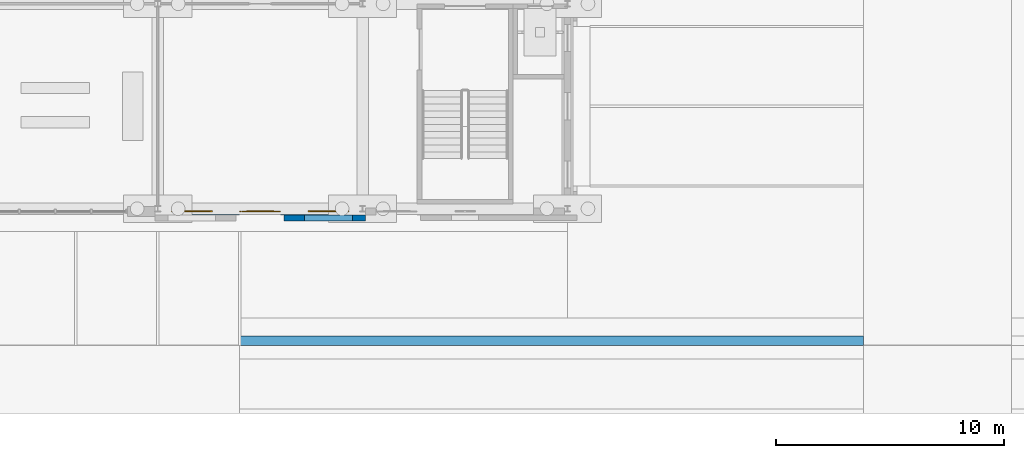
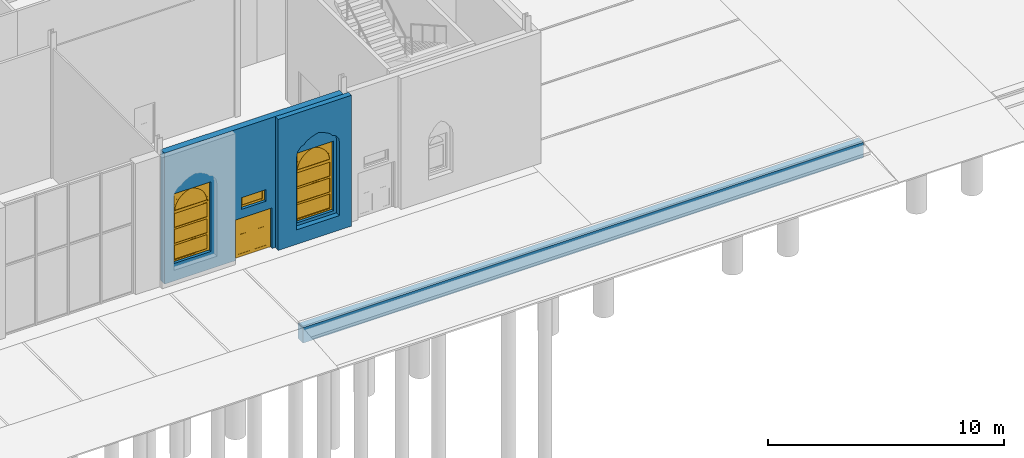
# One storey, part 114 of 250: 3 walls, 3 windows, 1 door, 4 openings.
"""IFC4 building model written with IfcOpenShell, lengths in metres."""

from ifc_helpers import new_model, si_unit, direction, frame, frame_2d, origin, place, context, subcontext, project, spatial, polyline, rectangle, outline, extrude, material, layer, layer_set, type_object, element, fill, save


model = new_model("IFC4")

# Units and contexts
model_context = context("Model", 3, precision=1e-05, world=origin(), true_north=direction((0.0, 1.0)))
body_context = subcontext(model_context, "Body", "Model", "MODEL_VIEW")
ifc_project = project(units=[si_unit("LENGTHUNIT", "METRE"), si_unit("AREAUNIT", "SQUARE_METRE"), si_unit("VOLUMEUNIT", "CUBIC_METRE"), si_unit("PLANEANGLEUNIT", "RADIAN"), si_unit("MASSUNIT", "GRAM", prefix="KILO")], contexts=[model_context])

# Site, building, storey
site_placement = place(None, origin())
site = spatial("IfcSite", under=ifc_project, at=site_placement, CompositionType="ELEMENT")
building_placement = place(site_placement, origin())
building = spatial("IfcBuilding", under=site, at=building_placement, Name="Baradari Gate Terminus", CompositionType="ELEMENT")
storey_placement = place(building_placement, origin())
storey = spatial("IfcBuildingStorey", under=building, at=storey_placement, Name="L00", CompositionType="ELEMENT", Elevation=0.0)

# Walls
ifc_material_1 = material(Name="Laterite masonry", Category="masonry")
ifc_layer_1 = layer(ifc_material_1, 0.25)
ifc_layer_set_1 = layer_set([ifc_layer_1], Name="Laterite masonry")
wall_type_1 = type_object("IfcWallType", Name="Laterite masonry wall WP-1 250", PredefinedType="SOLIDWALL", material=ifc_layer_set_1)
wall_1_placement = place(storey_placement, frame((140.550048828125, 8.594970703125, 0.0), z_axis=(0.0, 0.0, 1.0), x_axis=(1.0, 0.0, 0.0)))
element("IfcWall", 1, at=wall_1_placement, inside=storey, type_object=wall_type_1, Name="Front course SS 3b 1", PredefinedType="SOLIDWALL", context=body_context, shape_type="SweptSolid", body=[
    extrude(outline(polyline([(0.0, 0.0), (3.577392578125, 0.0), (3.577392578125, 6.767333984375), (0.0, 6.767333984375), (0.0, 0.0)]), holes=[polyline([(0.89990234375, 0.75), (0.89990234375, 4.5), (0.94189453125, 4.751953125), (1.110107421875, 4.968017578125), (1.257080078125, 5.02197265625), (1.383056640625, 5.166015625), (1.656005859375, 5.31005859375), (1.949951171875, 5.39990234375), (2.243896484375, 5.31005859375), (2.51708984375, 5.166015625), (2.64306640625, 5.02197265625), (2.7900390625, 4.968017578125), (2.9580078125, 4.751953125), (3.0, 4.5), (3.0, 0.75), (0.89990234375, 0.75)])]), frame((0.0, 0.125, 0.0), z_axis=(0.0, -1.0, 0.0), x_axis=(1.0, 0.0, 0.0)), (0.0, 0.0, 1.0), 0.25),
])
ifc_material_2 = material(Name="Sandstone masonry", Category="masonry")
ifc_layer_2 = layer(ifc_material_2, 0.39990234375)
ifc_layer_set_2 = layer_set([ifc_layer_2], Name="Sandstone masonry")
wall_type_2 = type_object("IfcWallType", Name="Plinth retaining wall KW-1 400", PredefinedType="SOLIDWALL", material=ifc_layer_set_2)
wall_2_placement = place(storey_placement, frame((138.60009765625, 3.199951171875, -0.800048828125), z_axis=(0.0, 0.0, 1.0), x_axis=(1.0, 0.0, 0.0)))
element("IfcWall", 2, at=wall_2_placement, inside=storey, type_object=wall_type_2, Name="Plinth retaining wall S3", PredefinedType="SOLIDWALL", context=body_context, shape_type="SweptSolid", body=[
    extrude(rectangle(XDim=27.39990234375, YDim=0.39990234375, at=frame_2d((13.699951171875, 0.0))), origin(), (0.0, 0.0, 1.0), 0.800048828125),
])

# Wall, openings, windows, door
ifc_material_3 = material(Name="Sandstone masonry", Category="masonry")
ifc_layer_3 = layer(ifc_material_3, 0.320068359375)
ifc_layer_set_3 = layer_set([ifc_layer_3], Name="Sandstone masonry")
wall_type_3 = type_object("IfcWallType", Name="Sandstone masonry wall WS-3 320", PredefinedType="SOLIDWALL", material=ifc_layer_set_3)
wall_3_placement = place(storey_placement, frame((135.127197265625, 8.880126953125, 0.0), z_axis=(0.0, 0.0, 1.0), x_axis=(1.0, 0.0, 0.0)))
wall_3 = element("IfcWall", 3, at=wall_3_placement, inside=storey, type_object=wall_type_3, Name="south front SS bay 16 L00", PredefinedType="SOLIDWALL", context=body_context, shape_type="SweptSolid", body=[
    extrude(rectangle(XDim=8.74560546875, YDim=0.320068359375, at=frame_2d((4.372802734375, 0.0))), origin(), (0.0, 0.0, 1.0), 6.767333984375),
])
opening_1_placement = place(wall_3_placement, frame((3.47265625, 0.0, 0.0)))
opening_1 = element("IfcOpeningElement", 4, at=opening_1_placement, cuts=wall_3, Name="Opening D00-051", PredefinedType="OPENING", context=body_context, shape_type="SweptSolid", body=[
    extrude(rectangle(XDim=1.800048828125, YDim=2.10009765625, at=frame_2d((0.89990234375, 1.050048828125))), frame((0.0, 0.169921875, 0.0), z_axis=(0.0, -1.0, 0.0), x_axis=(1.0, 0.0, 0.0)), (0.0, 0.0, 1.0), 0.340087890625),
])
opening_2_placement = place(wall_3_placement, frame((3.772705078125, 0.0, 2.550048828125)))
opening_2 = element("IfcOpeningElement", 5, at=opening_2_placement, cuts=wall_3, Name="Opening W10", PredefinedType="OPENING", context=body_context, shape_type="SweptSolid", body=[
    extrude(rectangle(XDim=1.199951171875, YDim=0.60009765625, at=frame_2d((0.60009765625, 0.300048828125))), frame((0.0, 0.169921875, 0.0), z_axis=(0.0, -1.0, 0.0), x_axis=(1.0, 0.0, 0.0)), (0.0, 0.0, 1.0), 0.340087890625),
])
opening_3_placement = place(wall_3_placement, frame((0.47265625, 0.0, 0.89990234375)))
opening_3 = element("IfcOpeningElement", 6, at=opening_3_placement, cuts=wall_3, Name="Opening W3", PredefinedType="OPENING", context=body_context, shape_type="SweptSolid", body=[
    extrude(rectangle(XDim=1.800048828125, YDim=3.60009765625, at=frame_2d((0.89990234375, 1.800048828125))), frame((0.0, 0.169921875, 0.0), z_axis=(0.0, -1.0, 0.0), x_axis=(1.0, 0.0, 0.0)), (0.0, 0.0, 1.0), 0.340087890625),
])
opening_4_placement = place(wall_3_placement, frame((6.47265625, 0.0, 0.89990234375)))
opening_4 = element("IfcOpeningElement", 7, at=opening_4_placement, cuts=wall_3, Name="Opening W3", PredefinedType="OPENING", context=body_context, shape_type="SweptSolid", body=[
    extrude(rectangle(XDim=1.800048828125, YDim=3.60009765625, at=frame_2d((0.89990234375, 1.800048828125))), frame((0.0, 0.169921875, 0.0), z_axis=(0.0, -1.0, 0.0), x_axis=(1.0, 0.0, 0.0)), (0.0, 0.0, 1.0), 0.340087890625),
])
ifc_material_4 = material(Name="Aluminium 6063-T6", Category="aluminium")
window_type_1 = type_object("IfcWindowType", Name="Door fanlight W10 1200x600", PartitioningType="SINGLE_PANEL", PredefinedType="WINDOW", material=ifc_material_4)
window_1_placement = place(opening_2_placement, origin())
window_1 = element("IfcWindow", 8, at=window_1_placement, inside=storey, type_object=window_type_1, Name="Fanlight over Parcel Counter", OverallHeight=0.6, OverallWidth=1.2, PartitioningType="SINGLE_PANEL", PredefinedType="WINDOW", context=body_context, shape_type="SweptSolid", body=[
    extrude(outline(polyline([(0.0, 0.0), (1.199951171875, 0.0), (1.199951171875, 0.60009765625), (0.0, 0.60009765625), (0.0, 0.0)]), holes=[polyline([(0.070068359375, 0.070068359375), (1.1298828125, 0.070068359375), (1.1298828125, 0.530029296875), (0.070068359375, 0.530029296875), (0.070068359375, 0.070068359375)])]), frame((0.0, 0.030029296875, 0.0), z_axis=(0.0, -1.0, 0.0), x_axis=(1.0, 0.0, 0.0)), (0.0, 0.0, 1.0), 0.06005859375),
    extrude(outline(polyline([(0.070068359375, 0.070068359375), (1.1298828125, 0.070068359375), (1.1298828125, 0.530029296875), (0.070068359375, 0.530029296875), (0.070068359375, 0.070068359375)]), holes=[polyline([(0.10009765625, 0.10009765625), (1.099853515625, 0.10009765625), (1.099853515625, 0.5), (0.10009765625, 0.5), (0.10009765625, 0.10009765625)])]), frame((0.0, 0.0224609375, 0.0), z_axis=(0.0, -1.0, 0.0), x_axis=(1.0, 0.0, 0.0)), (0.0, 0.0, 1.0), 0.044921875),
    extrude(rectangle(XDim=0.999755859375, YDim=0.39990234375, at=frame_2d((0.60009765625, 0.300048828125))), frame((0.0, 0.006103515625, 0.0), z_axis=(0.0, -1.0, 0.0), x_axis=(1.0, 0.0, 0.0)), (0.0, 0.0, 1.0), 0.01220703125),
])
fill(opening_2, window_1)
ifc_material_5 = material(Name="Steel S235", Category="steel")
door_type = type_object("IfcDoorType", Name="Store door pair, steel DT-5 1800x2100", OperationType="DOUBLE_DOOR_SINGLE_SWING", PredefinedType="DOOR", material=ifc_material_5)
door_placement = place(opening_1_placement, frame((1.800048828125, 0.0, 0.0), z_axis=(0.0, 0.0, 1.0), x_axis=(-1.0, 0.0, 0.0)))
door = element("IfcDoor", 9, at=door_placement, inside=storey, type_object=door_type, Name="Exit door Parcel Counter", OperationType="DOUBLE_DOOR_SINGLE_SWING", OverallHeight=2.1, OverallWidth=1.8, PredefinedType="DOOR", context=body_context, shape_type="SweptSolid", body=[
    extrude(outline(polyline([(0.0, 0.0), (0.070068359375, 0.0), (0.070068359375, 2.030029296875), (1.72998046875, 2.030029296875), (1.72998046875, 0.0), (1.800048828125, 0.0), (1.800048828125, 2.10009765625), (0.0, 2.10009765625), (0.0, 0.0)])), frame((0.0, 0.02490234375, 0.0), z_axis=(0.0, -1.0, 0.0), x_axis=(1.0, 0.0, 0.0)), (0.0, 0.0, 1.0), 0.050048828125),
    extrude(outline(polyline([(0.073974609375, 0.010009765625), (0.89697265625, 0.010009765625), (0.89697265625, 2.026123046875), (0.073974609375, 2.026123046875), (0.073974609375, 0.010009765625)]), holes=[polyline([(0.194091796875, 0.159912109375), (0.77685546875, 0.159912109375), (0.77685546875, 1.010009765625), (0.194091796875, 1.010009765625), (0.194091796875, 0.159912109375)]), polyline([(0.33544921875, 1.159912109375), (0.635498046875, 1.159912109375), (0.635498046875, 1.760009765625), (0.33544921875, 1.760009765625), (0.33544921875, 1.159912109375)])]), frame((0.0, 0.017333984375, 0.0), z_axis=(0.0, -1.0, 0.0), x_axis=(1.0, 0.0, 0.0)), (0.0, 0.0, 1.0), 0.034912109375),
    extrude(rectangle(XDim=0.582763671875, YDim=0.85009765625, at=frame_2d((0.4853515625, 0.5849609375))), frame((0.0, 0.008544921875, 0.0), z_axis=(0.0, -1.0, 0.0), x_axis=(1.0, 0.0, 0.0)), (0.0, 0.0, 1.0), 0.017333984375),
    extrude(rectangle(XDim=0.300048828125, YDim=0.60009765625, at=frame_2d((0.4853515625, 1.4599609375))), frame((0.0, 0.005859375, 0.0), z_axis=(0.0, -1.0, 0.0), x_axis=(1.0, 0.0, 0.0)), (0.0, 0.0, 1.0), 0.011962890625),
    extrude(outline(polyline([(0.903076171875, 0.010009765625), (1.72607421875, 0.010009765625), (1.72607421875, 2.026123046875), (0.903076171875, 2.026123046875), (0.903076171875, 0.010009765625)]), holes=[polyline([(1.023193359375, 0.159912109375), (1.60595703125, 0.159912109375), (1.60595703125, 1.010009765625), (1.023193359375, 1.010009765625), (1.023193359375, 0.159912109375)]), polyline([(1.16455078125, 1.159912109375), (1.464599609375, 1.159912109375), (1.464599609375, 1.760009765625), (1.16455078125, 1.760009765625), (1.16455078125, 1.159912109375)])]), frame((0.0, 0.017333984375, 0.0), z_axis=(0.0, -1.0, 0.0), x_axis=(1.0, 0.0, 0.0)), (0.0, 0.0, 1.0), 0.034912109375),
    extrude(rectangle(XDim=0.582763671875, YDim=0.85009765625, at=frame_2d((1.314453125, 0.5849609375))), frame((0.0, 0.008544921875, 0.0), z_axis=(0.0, -1.0, 0.0), x_axis=(1.0, 0.0, 0.0)), (0.0, 0.0, 1.0), 0.017333984375),
    extrude(rectangle(XDim=0.300048828125, YDim=0.60009765625, at=frame_2d((1.314453125, 1.4599609375))), frame((0.0, 0.005859375, 0.0), z_axis=(0.0, -1.0, 0.0), x_axis=(1.0, 0.0, 0.0)), (0.0, 0.0, 1.0), 0.011962890625),
])
fill(opening_1, door)
ifc_material_6 = material(Name="Aluminium 6063-T6", Category="aluminium")
window_type_2 = type_object("IfcWindowType", Name="Tall window, 3-light W3 1800x3600", PartitioningType="TRIPLE_PANEL_HORIZONTAL", PredefinedType="WINDOW", material=ifc_material_6)
window_2_placement = place(opening_3_placement, origin())
window_2 = element("IfcWindow", 10, at=window_2_placement, inside=storey, type_object=window_type_2, Name="Window W3 SS/15", OverallHeight=3.6, OverallWidth=1.8, PartitioningType="TRIPLE_PANEL_HORIZONTAL", PredefinedType="WINDOW", context=body_context, shape_type="SweptSolid", body=[
    extrude(outline(polyline([(0.0, 0.0), (1.800048828125, 0.0), (1.800048828125, 2.5400390625), (1.792724609375, 2.665771484375), (1.7705078125, 2.789794921875), (1.734130859375, 2.910400390625), (1.683837890625, 3.02587890625), (1.620361328125, 3.134765625), (1.544677734375, 3.2353515625), (1.457763671875, 3.326416015625), (1.360595703125, 3.40673828125), (1.2548828125, 3.47509765625), (1.1416015625, 3.530517578125), (1.02294921875, 3.572509765625), (0.89990234375, 3.60009765625), (0.777099609375, 3.572509765625), (0.658447265625, 3.530517578125), (0.545166015625, 3.47509765625), (0.439453125, 3.40673828125), (0.34228515625, 3.326416015625), (0.25537109375, 3.2353515625), (0.1796875, 3.134765625), (0.1162109375, 3.02587890625), (0.06591796875, 2.910400390625), (0.029541015625, 2.789794921875), (0.00732421875, 2.665771484375), (0.0, 2.5400390625), (0.0, 0.0)]), holes=[polyline([(0.070068359375, 0.070068359375), (1.72998046875, 0.070068359375), (1.72998046875, 2.5400390625), (1.72314453125, 2.65673828125), (1.702880859375, 2.771728515625), (1.66943359375, 2.8837890625), (1.623291015625, 2.990966796875), (1.564697265625, 3.09228515625), (1.4951171875, 3.18603515625), (1.414794921875, 3.27099609375), (1.325439453125, 3.34619140625), (1.227783203125, 3.410400390625), (1.12353515625, 3.462890625), (1.013671875, 3.5029296875), (0.89990234375, 3.530029296875), (0.786376953125, 3.5029296875), (0.676513671875, 3.462890625), (0.572265625, 3.410400390625), (0.474609375, 3.34619140625), (0.38525390625, 3.27099609375), (0.304931640625, 3.18603515625), (0.2353515625, 3.09228515625), (0.1767578125, 2.990966796875), (0.130615234375, 2.8837890625), (0.09716796875, 2.771728515625), (0.076904296875, 2.65673828125), (0.070068359375, 2.5400390625), (0.070068359375, 0.070068359375)])]), frame((0.0, 0.030029296875, 0.0), z_axis=(0.0, -1.0, 0.0), x_axis=(1.0, 0.0, 0.0)), (0.0, 0.0, 1.0), 0.06005859375),
    extrude(outline(polyline([(0.0, 2.5400390625), (0.00732421875, 2.665771484375), (0.029541015625, 2.789794921875), (0.06591796875, 2.910400390625), (0.1162109375, 3.02587890625), (0.1796875, 3.134765625), (0.25537109375, 3.2353515625), (0.34228515625, 3.326416015625), (0.439453125, 3.40673828125), (0.545166015625, 3.47509765625), (0.658447265625, 3.530517578125), (0.777099609375, 3.572509765625), (0.89990234375, 3.60009765625), (0.0, 3.60009765625), (0.0, 2.5400390625)])), frame((0.0, 0.028076171875, 0.0), z_axis=(0.0, -1.0, 0.0), x_axis=(1.0, 0.0, 0.0)), (0.0, 0.0, 1.0), 0.05615234375),
    extrude(outline(polyline([(0.89990234375, 3.60009765625), (1.02294921875, 3.572509765625), (1.1416015625, 3.530517578125), (1.2548828125, 3.47509765625), (1.360595703125, 3.40673828125), (1.457763671875, 3.326416015625), (1.544677734375, 3.2353515625), (1.620361328125, 3.134765625), (1.683837890625, 3.02587890625), (1.734130859375, 2.910400390625), (1.7705078125, 2.789794921875), (1.792724609375, 2.665771484375), (1.800048828125, 2.5400390625), (1.800048828125, 3.60009765625), (0.89990234375, 3.60009765625)])), frame((0.0, 0.027099609375, 0.0), z_axis=(0.0, -1.0, 0.0), x_axis=(1.0, 0.0, 0.0)), (0.0, 0.0, 1.0), 0.05419921875),
    extrude(outline(polyline([(1.7275390625, 2.580078125), (0.072509765625, 2.580078125), (0.070068359375, 2.5400390625), (0.070068359375, 2.5), (1.72998046875, 2.5), (1.72998046875, 2.5400390625), (1.7275390625, 2.580078125)])), frame((0.0, 0.02099609375, 0.0), z_axis=(0.0, -1.0, 0.0), x_axis=(1.0, 0.0, 0.0)), (0.0, 0.0, 1.0), 0.0419921875),
    extrude(rectangle(XDim=1.659912109375, YDim=0.0400390625, at=frame_2d((0.89990234375, 0.873291015625))), frame((0.0, 0.021484375, 0.0), z_axis=(0.0, -1.0, 0.0), x_axis=(1.0, 0.0, 0.0)), (0.0, 0.0, 1.0), 0.04296875),
    extrude(rectangle(XDim=1.659912109375, YDim=0.0400390625, at=frame_2d((0.89990234375, 1.69677734375))), frame((0.0, 0.021484375, 0.0), z_axis=(0.0, -1.0, 0.0), x_axis=(1.0, 0.0, 0.0)), (0.0, 0.0, 1.0), 0.04296875),
    extrude(outline(polyline([(0.070068359375, 0.070068359375), (1.72998046875, 0.070068359375), (1.72998046875, 0.853271484375), (0.070068359375, 0.853271484375), (0.070068359375, 0.070068359375)]), holes=[polyline([(0.10009765625, 0.10009765625), (1.699951171875, 0.10009765625), (1.699951171875, 0.8232421875), (0.10009765625, 0.8232421875), (0.10009765625, 0.10009765625)])]), frame((0.0, 0.0224609375, 0.0), z_axis=(0.0, -1.0, 0.0), x_axis=(1.0, 0.0, 0.0)), (0.0, 0.0, 1.0), 0.044921875),
    extrude(rectangle(XDim=1.599853515625, YDim=0.72314453125, at=frame_2d((0.89990234375, 0.461669921875))), frame((0.0, 0.006103515625, 0.0), z_axis=(0.0, -1.0, 0.0), x_axis=(1.0, 0.0, 0.0)), (0.0, 0.0, 1.0), 0.01220703125),
    extrude(outline(polyline([(0.070068359375, 0.893310546875), (1.72998046875, 0.893310546875), (1.72998046875, 1.6767578125), (0.070068359375, 1.6767578125), (0.070068359375, 0.893310546875)]), holes=[polyline([(0.10009765625, 0.92333984375), (1.699951171875, 0.92333984375), (1.699951171875, 1.646728515625), (0.10009765625, 1.646728515625), (0.10009765625, 0.92333984375)])]), frame((0.0, 0.0224609375, 0.0), z_axis=(0.0, -1.0, 0.0), x_axis=(1.0, 0.0, 0.0)), (0.0, 0.0, 1.0), 0.044921875),
    extrude(rectangle(XDim=1.599853515625, YDim=0.723388671875, at=frame_2d((0.89990234375, 1.28515625))), frame((0.0, 0.006103515625, 0.0), z_axis=(0.0, -1.0, 0.0), x_axis=(1.0, 0.0, 0.0)), (0.0, 0.0, 1.0), 0.01220703125),
    extrude(outline(polyline([(0.070068359375, 1.716796875), (1.72998046875, 1.716796875), (1.72998046875, 2.5), (0.070068359375, 2.5), (0.070068359375, 1.716796875)]), holes=[polyline([(0.10009765625, 1.746826171875), (1.699951171875, 1.746826171875), (1.699951171875, 2.469970703125), (0.10009765625, 2.469970703125), (0.10009765625, 1.746826171875)])]), frame((0.0, 0.0224609375, 0.0), z_axis=(0.0, -1.0, 0.0), x_axis=(1.0, 0.0, 0.0)), (0.0, 0.0, 1.0), 0.044921875),
    extrude(rectangle(XDim=1.599853515625, YDim=0.72314453125, at=frame_2d((0.89990234375, 2.1083984375))), frame((0.0, 0.006103515625, 0.0), z_axis=(0.0, -1.0, 0.0), x_axis=(1.0, 0.0, 0.0)), (0.0, 0.0, 1.0), 0.01220703125),
    extrude(outline(polyline([(0.072509765625, 2.580078125), (1.7275390625, 2.580078125), (1.72314453125, 2.65673828125), (1.702880859375, 2.771728515625), (1.66943359375, 2.8837890625), (1.623291015625, 2.990966796875), (1.564697265625, 3.09228515625), (1.4951171875, 3.18603515625), (1.414794921875, 3.27099609375), (1.325439453125, 3.34619140625), (1.227783203125, 3.410400390625), (1.12353515625, 3.462890625), (1.013671875, 3.5029296875), (0.89990234375, 3.530029296875), (0.786376953125, 3.5029296875), (0.676513671875, 3.462890625), (0.572265625, 3.410400390625), (0.474609375, 3.34619140625), (0.38525390625, 3.27099609375), (0.304931640625, 3.18603515625), (0.2353515625, 3.09228515625), (0.1767578125, 2.990966796875), (0.130615234375, 2.8837890625), (0.09716796875, 2.771728515625), (0.076904296875, 2.65673828125), (0.072509765625, 2.580078125)]), holes=[polyline([(0.11181640625, 2.652587890625), (0.13134765625, 2.763671875), (0.16357421875, 2.871826171875), (0.2080078125, 2.975341796875), (0.2646484375, 3.072998046875), (0.331787109375, 3.16357421875), (0.409423828125, 3.24560546875), (0.49560546875, 3.318115234375), (0.58984375, 3.380126953125), (0.6904296875, 3.4306640625), (0.79638671875, 3.46923828125), (0.89990234375, 3.494140625), (1.003662109375, 3.46923828125), (1.109619140625, 3.4306640625), (1.210205078125, 3.380126953125), (1.304443359375, 3.318115234375), (1.390625, 3.24560546875), (1.46826171875, 3.16357421875), (1.535400390625, 3.072998046875), (1.592041015625, 2.975341796875), (1.636474609375, 2.871826171875), (1.668701171875, 2.763671875), (1.688232421875, 2.652587890625), (1.6904296875, 2.614990234375), (0.109619140625, 2.614990234375), (0.11181640625, 2.652587890625)])]), frame((0.0, 0.0224609375, 0.0), z_axis=(0.0, -1.0, 0.0), x_axis=(1.0, 0.0, 0.0)), (0.0, 0.0, 1.0), 0.044921875),
    extrude(outline(polyline([(0.109619140625, 2.614990234375), (1.6904296875, 2.614990234375), (1.688232421875, 2.652587890625), (1.668701171875, 2.763671875), (1.636474609375, 2.871826171875), (1.592041015625, 2.975341796875), (1.535400390625, 3.072998046875), (1.46826171875, 3.16357421875), (1.390625, 3.24560546875), (1.304443359375, 3.318115234375), (1.210205078125, 3.380126953125), (1.109619140625, 3.4306640625), (1.003662109375, 3.46923828125), (0.89990234375, 3.494140625), (0.79638671875, 3.46923828125), (0.6904296875, 3.4306640625), (0.58984375, 3.380126953125), (0.49560546875, 3.318115234375), (0.409423828125, 3.24560546875), (0.331787109375, 3.16357421875), (0.2646484375, 3.072998046875), (0.2080078125, 2.975341796875), (0.16357421875, 2.871826171875), (0.13134765625, 2.763671875), (0.11181640625, 2.652587890625), (0.109619140625, 2.614990234375)])), frame((0.0, 0.006103515625, 0.0), z_axis=(0.0, -1.0, 0.0), x_axis=(1.0, 0.0, 0.0)), (0.0, 0.0, 1.0), 0.01220703125),
])
fill(opening_3, window_2)
window_3_placement = place(opening_4_placement, origin())
window_3 = element("IfcWindow", 11, at=window_3_placement, inside=storey, type_object=window_type_2, Name="Window W3 SS/15", OverallHeight=3.6, OverallWidth=1.8, PartitioningType="TRIPLE_PANEL_HORIZONTAL", PredefinedType="WINDOW", context=body_context, shape_type="SweptSolid", body=[
    extrude(outline(polyline([(0.0, 0.0), (1.800048828125, 0.0), (1.800048828125, 2.5400390625), (1.792724609375, 2.665771484375), (1.7705078125, 2.789794921875), (1.734130859375, 2.910400390625), (1.683837890625, 3.02587890625), (1.620361328125, 3.134765625), (1.544677734375, 3.2353515625), (1.457763671875, 3.326416015625), (1.360595703125, 3.40673828125), (1.2548828125, 3.47509765625), (1.1416015625, 3.530517578125), (1.02294921875, 3.572509765625), (0.89990234375, 3.60009765625), (0.777099609375, 3.572509765625), (0.658447265625, 3.530517578125), (0.545166015625, 3.47509765625), (0.439453125, 3.40673828125), (0.34228515625, 3.326416015625), (0.25537109375, 3.2353515625), (0.1796875, 3.134765625), (0.1162109375, 3.02587890625), (0.06591796875, 2.910400390625), (0.029541015625, 2.789794921875), (0.00732421875, 2.665771484375), (0.0, 2.5400390625), (0.0, 0.0)]), holes=[polyline([(0.070068359375, 0.070068359375), (1.72998046875, 0.070068359375), (1.72998046875, 2.5400390625), (1.72314453125, 2.65673828125), (1.702880859375, 2.771728515625), (1.66943359375, 2.8837890625), (1.623291015625, 2.990966796875), (1.564697265625, 3.09228515625), (1.4951171875, 3.18603515625), (1.414794921875, 3.27099609375), (1.325439453125, 3.34619140625), (1.227783203125, 3.410400390625), (1.12353515625, 3.462890625), (1.013671875, 3.5029296875), (0.89990234375, 3.530029296875), (0.786376953125, 3.5029296875), (0.676513671875, 3.462890625), (0.572265625, 3.410400390625), (0.474609375, 3.34619140625), (0.38525390625, 3.27099609375), (0.304931640625, 3.18603515625), (0.2353515625, 3.09228515625), (0.1767578125, 2.990966796875), (0.130615234375, 2.8837890625), (0.09716796875, 2.771728515625), (0.076904296875, 2.65673828125), (0.070068359375, 2.5400390625), (0.070068359375, 0.070068359375)])]), frame((0.0, 0.030029296875, 0.0), z_axis=(0.0, -1.0, 0.0), x_axis=(1.0, 0.0, 0.0)), (0.0, 0.0, 1.0), 0.06005859375),
    extrude(outline(polyline([(0.0, 2.5400390625), (0.00732421875, 2.665771484375), (0.029541015625, 2.789794921875), (0.06591796875, 2.910400390625), (0.1162109375, 3.02587890625), (0.1796875, 3.134765625), (0.25537109375, 3.2353515625), (0.34228515625, 3.326416015625), (0.439453125, 3.40673828125), (0.545166015625, 3.47509765625), (0.658447265625, 3.530517578125), (0.777099609375, 3.572509765625), (0.89990234375, 3.60009765625), (0.0, 3.60009765625), (0.0, 2.5400390625)])), frame((0.0, 0.028076171875, 0.0), z_axis=(0.0, -1.0, 0.0), x_axis=(1.0, 0.0, 0.0)), (0.0, 0.0, 1.0), 0.05615234375),
    extrude(outline(polyline([(0.89990234375, 3.60009765625), (1.02294921875, 3.572509765625), (1.1416015625, 3.530517578125), (1.2548828125, 3.47509765625), (1.360595703125, 3.40673828125), (1.457763671875, 3.326416015625), (1.544677734375, 3.2353515625), (1.620361328125, 3.134765625), (1.683837890625, 3.02587890625), (1.734130859375, 2.910400390625), (1.7705078125, 2.789794921875), (1.792724609375, 2.665771484375), (1.800048828125, 2.5400390625), (1.800048828125, 3.60009765625), (0.89990234375, 3.60009765625)])), frame((0.0, 0.027099609375, 0.0), z_axis=(0.0, -1.0, 0.0), x_axis=(1.0, 0.0, 0.0)), (0.0, 0.0, 1.0), 0.05419921875),
    extrude(outline(polyline([(1.7275390625, 2.580078125), (0.072509765625, 2.580078125), (0.070068359375, 2.5400390625), (0.070068359375, 2.5), (1.72998046875, 2.5), (1.72998046875, 2.5400390625), (1.7275390625, 2.580078125)])), frame((0.0, 0.02099609375, 0.0), z_axis=(0.0, -1.0, 0.0), x_axis=(1.0, 0.0, 0.0)), (0.0, 0.0, 1.0), 0.0419921875),
    extrude(rectangle(XDim=1.659912109375, YDim=0.0400390625, at=frame_2d((0.89990234375, 0.873291015625))), frame((0.0, 0.021484375, 0.0), z_axis=(0.0, -1.0, 0.0), x_axis=(1.0, 0.0, 0.0)), (0.0, 0.0, 1.0), 0.04296875),
    extrude(rectangle(XDim=1.659912109375, YDim=0.0400390625, at=frame_2d((0.89990234375, 1.69677734375))), frame((0.0, 0.021484375, 0.0), z_axis=(0.0, -1.0, 0.0), x_axis=(1.0, 0.0, 0.0)), (0.0, 0.0, 1.0), 0.04296875),
    extrude(outline(polyline([(0.070068359375, 0.070068359375), (1.72998046875, 0.070068359375), (1.72998046875, 0.853271484375), (0.070068359375, 0.853271484375), (0.070068359375, 0.070068359375)]), holes=[polyline([(0.10009765625, 0.10009765625), (1.699951171875, 0.10009765625), (1.699951171875, 0.8232421875), (0.10009765625, 0.8232421875), (0.10009765625, 0.10009765625)])]), frame((0.0, 0.0224609375, 0.0), z_axis=(0.0, -1.0, 0.0), x_axis=(1.0, 0.0, 0.0)), (0.0, 0.0, 1.0), 0.044921875),
    extrude(rectangle(XDim=1.599853515625, YDim=0.72314453125, at=frame_2d((0.89990234375, 0.461669921875))), frame((0.0, 0.006103515625, 0.0), z_axis=(0.0, -1.0, 0.0), x_axis=(1.0, 0.0, 0.0)), (0.0, 0.0, 1.0), 0.01220703125),
    extrude(outline(polyline([(0.070068359375, 0.893310546875), (1.72998046875, 0.893310546875), (1.72998046875, 1.6767578125), (0.070068359375, 1.6767578125), (0.070068359375, 0.893310546875)]), holes=[polyline([(0.10009765625, 0.92333984375), (1.699951171875, 0.92333984375), (1.699951171875, 1.646728515625), (0.10009765625, 1.646728515625), (0.10009765625, 0.92333984375)])]), frame((0.0, 0.0224609375, 0.0), z_axis=(0.0, -1.0, 0.0), x_axis=(1.0, 0.0, 0.0)), (0.0, 0.0, 1.0), 0.044921875),
    extrude(rectangle(XDim=1.599853515625, YDim=0.723388671875, at=frame_2d((0.89990234375, 1.28515625))), frame((0.0, 0.006103515625, 0.0), z_axis=(0.0, -1.0, 0.0), x_axis=(1.0, 0.0, 0.0)), (0.0, 0.0, 1.0), 0.01220703125),
    extrude(outline(polyline([(0.070068359375, 1.716796875), (1.72998046875, 1.716796875), (1.72998046875, 2.5), (0.070068359375, 2.5), (0.070068359375, 1.716796875)]), holes=[polyline([(0.10009765625, 1.746826171875), (1.699951171875, 1.746826171875), (1.699951171875, 2.469970703125), (0.10009765625, 2.469970703125), (0.10009765625, 1.746826171875)])]), frame((0.0, 0.0224609375, 0.0), z_axis=(0.0, -1.0, 0.0), x_axis=(1.0, 0.0, 0.0)), (0.0, 0.0, 1.0), 0.044921875),
    extrude(rectangle(XDim=1.599853515625, YDim=0.72314453125, at=frame_2d((0.89990234375, 2.1083984375))), frame((0.0, 0.006103515625, 0.0), z_axis=(0.0, -1.0, 0.0), x_axis=(1.0, 0.0, 0.0)), (0.0, 0.0, 1.0), 0.01220703125),
    extrude(outline(polyline([(0.072509765625, 2.580078125), (1.7275390625, 2.580078125), (1.72314453125, 2.65673828125), (1.702880859375, 2.771728515625), (1.66943359375, 2.8837890625), (1.623291015625, 2.990966796875), (1.564697265625, 3.09228515625), (1.4951171875, 3.18603515625), (1.414794921875, 3.27099609375), (1.325439453125, 3.34619140625), (1.227783203125, 3.410400390625), (1.12353515625, 3.462890625), (1.013671875, 3.5029296875), (0.89990234375, 3.530029296875), (0.786376953125, 3.5029296875), (0.676513671875, 3.462890625), (0.572265625, 3.410400390625), (0.474609375, 3.34619140625), (0.38525390625, 3.27099609375), (0.304931640625, 3.18603515625), (0.2353515625, 3.09228515625), (0.1767578125, 2.990966796875), (0.130615234375, 2.8837890625), (0.09716796875, 2.771728515625), (0.076904296875, 2.65673828125), (0.072509765625, 2.580078125)]), holes=[polyline([(0.11181640625, 2.652587890625), (0.13134765625, 2.763671875), (0.16357421875, 2.871826171875), (0.2080078125, 2.975341796875), (0.2646484375, 3.072998046875), (0.331787109375, 3.16357421875), (0.409423828125, 3.24560546875), (0.49560546875, 3.318115234375), (0.58984375, 3.380126953125), (0.6904296875, 3.4306640625), (0.79638671875, 3.46923828125), (0.89990234375, 3.494140625), (1.003662109375, 3.46923828125), (1.109619140625, 3.4306640625), (1.210205078125, 3.380126953125), (1.304443359375, 3.318115234375), (1.390625, 3.24560546875), (1.46826171875, 3.16357421875), (1.535400390625, 3.072998046875), (1.592041015625, 2.975341796875), (1.636474609375, 2.871826171875), (1.668701171875, 2.763671875), (1.688232421875, 2.652587890625), (1.6904296875, 2.614990234375), (0.109619140625, 2.614990234375), (0.11181640625, 2.652587890625)])]), frame((0.0, 0.0224609375, 0.0), z_axis=(0.0, -1.0, 0.0), x_axis=(1.0, 0.0, 0.0)), (0.0, 0.0, 1.0), 0.044921875),
    extrude(outline(polyline([(0.109619140625, 2.614990234375), (1.6904296875, 2.614990234375), (1.688232421875, 2.652587890625), (1.668701171875, 2.763671875), (1.636474609375, 2.871826171875), (1.592041015625, 2.975341796875), (1.535400390625, 3.072998046875), (1.46826171875, 3.16357421875), (1.390625, 3.24560546875), (1.304443359375, 3.318115234375), (1.210205078125, 3.380126953125), (1.109619140625, 3.4306640625), (1.003662109375, 3.46923828125), (0.89990234375, 3.494140625), (0.79638671875, 3.46923828125), (0.6904296875, 3.4306640625), (0.58984375, 3.380126953125), (0.49560546875, 3.318115234375), (0.409423828125, 3.24560546875), (0.331787109375, 3.16357421875), (0.2646484375, 3.072998046875), (0.2080078125, 2.975341796875), (0.16357421875, 2.871826171875), (0.13134765625, 2.763671875), (0.11181640625, 2.652587890625), (0.109619140625, 2.614990234375)])), frame((0.0, 0.006103515625, 0.0), z_axis=(0.0, -1.0, 0.0), x_axis=(1.0, 0.0, 0.0)), (0.0, 0.0, 1.0), 0.01220703125),
])
fill(opening_4, window_3)

save(model, "model.ifc")
